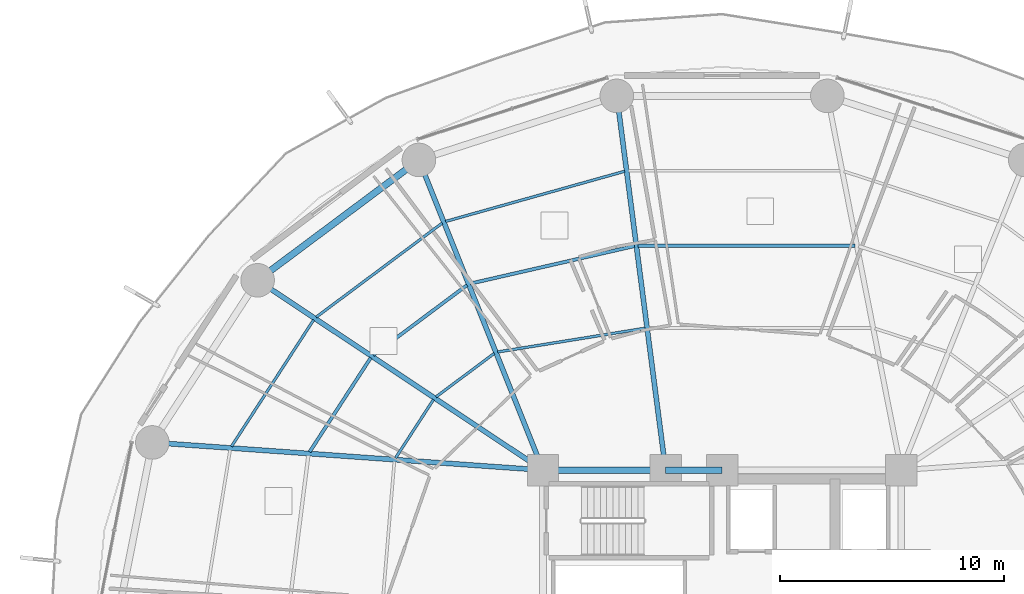
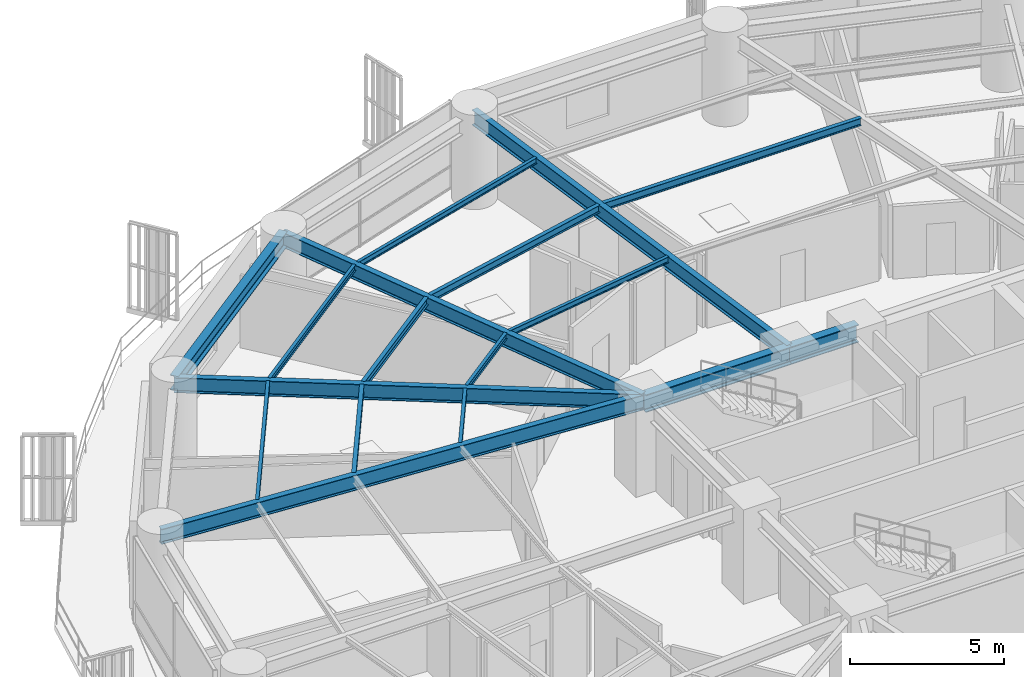
# One storey, part 16 of 32: 17 beams.
"""IFC4 building model written with IfcOpenShell, lengths in metres."""

from ifc_helpers import new_model, si_unit, direction, frame, origin, origin_2d, place, context, subcontext, project, spatial, i_section, extrude, material, material_profile, profile_set, type_object, element, save


model = new_model("IFC4")

# Units and contexts
model_context = context("Model", 3, precision=1e-05, world=origin(), true_north=direction((0.0, 1.0)))
body_context = subcontext(model_context, "Body", "Model", "MODEL_VIEW")
ifc_project = project(units=[si_unit("LENGTHUNIT", "METRE"), si_unit("AREAUNIT", "SQUARE_METRE"), si_unit("VOLUMEUNIT", "CUBIC_METRE"), si_unit("PLANEANGLEUNIT", "RADIAN"), si_unit("MASSUNIT", "GRAM", prefix="KILO")], contexts=[model_context])

# Site, building, storey
site_placement = place(None, origin())
site = spatial("IfcSite", under=ifc_project, at=site_placement, CompositionType="ELEMENT")
building_placement = place(site_placement, origin())
building = spatial("IfcBuilding", under=site, at=building_placement, Name="Kelanora Arch Commons", CompositionType="ELEMENT")
storey_placement = place(building_placement, frame((0.0, 0.0, 56.25)))
storey = spatial("IfcBuildingStorey", under=building, at=storey_placement, Name="L14", CompositionType="ELEMENT", Elevation=56.25)

# Beams
ifc_material = material(Name="Steel S355", Category="steel")
ifc_material_profile_1 = material_profile(ifc_material, i_section(OverallWidth=0.300048828125, OverallDepth=0.699951171875, WebThickness=0.01708984375, FlangeThickness=0.031982421875, FilletRadius=0.027099609375, at=origin_2d()), Name="HEB700")
ifc_profile_set_1 = profile_set([ifc_material_profile_1], Name="Steel S355")
beam_type_1 = type_object("IfcBeamType", Name="BM-CORE-HDR", PredefinedType="BEAM", material=ifc_profile_set_1)
beam_1_placement = place(storey_placement, frame((74.0, 65.0, 3.139892578125), z_axis=(-1.0, 0.0, 0.0), x_axis=(0.0, -1.0, 0.0)))
element("IfcBeam", 1, at=beam_1_placement, inside=storey, type_object=beam_type_1, Name="Core Header Beam 06 L14", PredefinedType="BEAM", context=body_context, shape_type="SweptSolid", body=[
    extrude(i_section(OverallWidth=0.300048828125, OverallDepth=0.699951171875, WebThickness=0.01708984375, FlangeThickness=0.031982421875, FilletRadius=0.027099609375, at=origin_2d()), origin(), (0.0, 0.0, 1.0), 2.52001953125),
])
beam_2_placement = place(storey_placement, frame((71.47998046875, 65.0, 3.139892578125), z_axis=(-1.0, 0.0, 0.0), x_axis=(0.0, -1.0, 0.0)))
element("IfcBeam", 2, at=beam_2_placement, inside=storey, type_object=beam_type_1, Name="Core Header Beam 07 L14", PredefinedType="BEAM", context=body_context, shape_type="SweptSolid", body=[
    extrude(i_section(OverallWidth=0.300048828125, OverallDepth=0.699951171875, WebThickness=0.01708984375, FlangeThickness=0.031982421875, FilletRadius=0.027099609375, at=origin_2d()), origin(), (0.0, 0.0, 1.0), 5.47998046875),
])
ifc_material_profile_2 = material_profile(ifc_material, i_section(OverallWidth=0.14990234375, OverallDepth=0.300048828125, WebThickness=0.007080078125, FlangeThickness=0.0107421875, FilletRadius=0.014892578125, at=origin_2d()), Name="IPE300")
ifc_profile_set_2 = profile_set([ifc_material_profile_2], Name="Steel S355")
beam_type_2 = type_object("IfcBeamType", Name="BM-JST-01", PredefinedType="JOIST", material=ifc_profile_set_2)
beam_3_placement = place(storey_placement, frame((79.936279296875, 75.028564453125, 3.340087890625), z_axis=(-1.0, 0.0, 0.0), x_axis=(0.0, -1.0, 0.0)))
element("IfcBeam", 3, at=beam_3_placement, inside=storey, type_object=beam_type_2, Name="Secondary Chord Joist BJB-08 L14", PredefinedType="JOIST", context=body_context, shape_type="SweptSolid", body=[
    extrude(i_section(OverallWidth=0.14990234375, OverallDepth=0.300048828125, WebThickness=0.007080078125, FlangeThickness=0.0107421875, FilletRadius=0.014892578125, at=origin_2d()), origin(), (0.0, 0.0, 1.0), 9.6806640625),
])
beam_4_placement = place(storey_placement, frame((70.087646484375, 75.009521484375, 3.340087890625), z_axis=(-0.974770159254, -0.223210968877, 0.0), x_axis=(0.223210968877, -0.974770159254, 0.0)))
element("IfcBeam", 4, at=beam_4_placement, inside=storey, type_object=beam_type_2, Name="Secondary Chord Joist BJB-10 L14", PredefinedType="JOIST", context=body_context, shape_type="SweptSolid", body=[
    extrude(i_section(OverallWidth=0.14990234375, OverallDepth=0.300048828125, WebThickness=0.007080078125, FlangeThickness=0.0107421875, FilletRadius=0.014892578125, at=origin_2d()), origin(), (0.0, 0.0, 1.0), 7.5185546875),
])
beam_5_placement = place(storey_placement, frame((62.60791015625, 73.261474609375, 3.340087890625), z_axis=(-0.801478251559, -0.598023922831, 0.0), x_axis=(0.598023922831, -0.801478251559, 0.0)))
element("IfcBeam", 5, at=beam_5_placement, inside=storey, type_object=beam_type_2, Name="Secondary Chord Joist BJB-12 L14", PredefinedType="JOIST", context=body_context, shape_type="SweptSolid", body=[
    extrude(i_section(OverallWidth=0.14990234375, OverallDepth=0.300048828125, WebThickness=0.007080078125, FlangeThickness=0.0107421875, FilletRadius=0.014892578125, at=origin_2d()), origin(), (0.0, 0.0, 1.0), 5.223388671875),
])
beam_6_placement = place(storey_placement, frame((58.306884765625, 70.015625, 3.340087890625), z_axis=(-0.544551588245, -0.838727350061, 0.0), x_axis=(0.838727350061, -0.544551588245, 0.0)))
element("IfcBeam", 6, at=beam_6_placement, inside=storey, type_object=beam_type_2, Name="Secondary Chord Joist BJB-14 L14", PredefinedType="JOIST", context=body_context, shape_type="SweptSolid", body=[
    extrude(i_section(OverallWidth=0.14990234375, OverallDepth=0.300048828125, WebThickness=0.007080078125, FlangeThickness=0.0107421875, FilletRadius=0.014892578125, at=origin_2d()), origin(), (0.0, 0.0, 1.0), 5.010986328125),
])
ifc_material_profile_3 = material_profile(ifc_material, i_section(OverallWidth=0.1201171875, OverallDepth=0.239990234375, WebThickness=0.006103515625, FlangeThickness=0.009765625, FilletRadius=0.014892578125, at=origin_2d()), Name="IPE240")
ifc_profile_set_3 = profile_set([ifc_material_profile_3], Name="Steel S355")
beam_type_3 = type_object("IfcBeamType", Name="BM-JST-02", PredefinedType="JOIST", material=ifc_profile_set_3)
beam_7_placement = place(storey_placement, frame((70.56689453125, 71.337890625, 3.3701171875), z_axis=(-0.987306715654, -0.158825215959, 0.0), x_axis=(0.158825215959, -0.987306715654, 0.0)))
element("IfcBeam", 7, at=beam_7_placement, inside=storey, type_object=beam_type_3, Name="Secondary Chord Joist BJA-10 L14", PredefinedType="JOIST", context=body_context, shape_type="SweptSolid", body=[
    extrude(i_section(OverallWidth=0.1201171875, OverallDepth=0.239990234375, WebThickness=0.006103515625, FlangeThickness=0.009765625, FilletRadius=0.014892578125, at=origin_2d()), origin(), (0.0, 0.0, 1.0), 6.6728515625),
])
beam_8_placement = place(storey_placement, frame((69.652099609375, 78.348388671875, 3.3701171875), z_axis=(-0.962914880978, -0.269805359456, 0.0), x_axis=(0.269805359456, -0.962914880978, 0.0)))
element("IfcBeam", 8, at=beam_8_placement, inside=storey, type_object=beam_type_3, Name="Secondary Chord Joist BJC-10 L14", PredefinedType="JOIST", context=body_context, shape_type="SweptSolid", body=[
    extrude(i_section(OverallWidth=0.1201171875, OverallDepth=0.239990234375, WebThickness=0.006103515625, FlangeThickness=0.009765625, FilletRadius=0.014892578125, at=origin_2d()), origin(), (0.0, 0.0, 1.0), 8.310302734375),
])
beam_9_placement = place(storey_placement, frame((63.82666015625, 70.213623046875, 3.3701171875), z_axis=(-0.801513822608, -0.59797624716, 0.0), x_axis=(0.59797624716, -0.801513822608, 0.0)))
element("IfcBeam", 9, at=beam_9_placement, inside=storey, type_object=beam_type_3, Name="Secondary Chord Joist BJA-12 L14", PredefinedType="JOIST", context=body_context, shape_type="SweptSolid", body=[
    extrude(i_section(OverallWidth=0.1201171875, OverallDepth=0.239990234375, WebThickness=0.006103515625, FlangeThickness=0.009765625, FilletRadius=0.014892578125, at=origin_2d()), origin(), (0.0, 0.0, 1.0), 3.245849609375),
])
beam_10_placement = place(storey_placement, frame((61.5, 76.0322265625, 3.3701171875), z_axis=(-0.80149131963, -0.598006408459, 0.0), x_axis=(0.598006408459, -0.80149131963, 0.0)))
element("IfcBeam", 10, at=beam_10_placement, inside=storey, type_object=beam_type_3, Name="Secondary Chord Joist BJC-12 L14", PredefinedType="JOIST", context=body_context, shape_type="SweptSolid", body=[
    extrude(i_section(OverallWidth=0.1201171875, OverallDepth=0.239990234375, WebThickness=0.006103515625, FlangeThickness=0.009765625, FilletRadius=0.014892578125, at=origin_2d()), origin(), (0.0, 0.0, 1.0), 7.021240234375),
])
beam_11_placement = place(storey_placement, frame((61.11083984375, 68.150390625, 3.3701171875), z_axis=(-0.544591105858, -0.838701691557, 0.0), x_axis=(0.838701691557, -0.544591105858, 0.0)))
element("IfcBeam", 11, at=beam_11_placement, inside=storey, type_object=beam_type_3, Name="Secondary Chord Joist BJA-14 L14", PredefinedType="JOIST", context=body_context, shape_type="SweptSolid", body=[
    extrude(i_section(OverallWidth=0.1201171875, OverallDepth=0.239990234375, WebThickness=0.006103515625, FlangeThickness=0.009765625, FilletRadius=0.014892578125, at=origin_2d()), origin(), (0.0, 0.0, 1.0), 3.111328125),
])
beam_12_placement = place(storey_placement, frame((55.758056640625, 71.711181640625, 3.3701171875), z_axis=(-0.544550165372, -0.838728273873, 0.0), x_axis=(0.838728273873, -0.544550165372, 0.0)))
element("IfcBeam", 12, at=beam_12_placement, inside=storey, type_object=beam_type_3, Name="Secondary Chord Joist BJC-14 L14", PredefinedType="JOIST", context=body_context, shape_type="SweptSolid", body=[
    extrude(i_section(OverallWidth=0.1201171875, OverallDepth=0.239990234375, WebThickness=0.006103515625, FlangeThickness=0.009765625, FilletRadius=0.014892578125, at=origin_2d()), origin(), (0.0, 0.0, 1.0), 6.738037109375),
])
ifc_material_profile_4 = material_profile(ifc_material, i_section(OverallWidth=0.219970703125, OverallDepth=0.60009765625, WebThickness=0.011962890625, FlangeThickness=0.01904296875, FilletRadius=0.02392578125, at=origin_2d()), Name="IPE600")
ifc_profile_set_4 = profile_set([ifc_material_profile_4], Name="Steel S355")
beam_type_4 = type_object("IfcBeamType", Name="BM-RAD-Z1", PredefinedType="BEAM", material=ifc_profile_set_4)
beam_13_placement = place(storey_placement, frame((71.47998046875, 65.0, 3.18994140625), z_axis=(-0.129471691865, 0.991583118556, 0.0), x_axis=(-0.991583118556, -0.129471691865, 0.0)))
element("IfcBeam", 13, at=beam_13_placement, inside=storey, type_object=beam_type_4, Name="Radial Floor Girder BR-10 L14", PredefinedType="BEAM", context=body_context, shape_type="SweptSolid", body=[
    extrude(i_section(OverallWidth=0.219970703125, OverallDepth=0.60009765625, WebThickness=0.011962890625, FlangeThickness=0.01904296875, FilletRadius=0.02392578125, at=origin_2d()), origin(), (0.0, 0.0, 1.0), 16.85595703125),
])
beam_14_placement = place(storey_placement, frame((66.0, 65.0, 3.18994140625), z_axis=(-0.371300398117, 0.928512797089, 0.0), x_axis=(-0.928512797089, -0.371300398117, 0.0)))
element("IfcBeam", 14, at=beam_14_placement, inside=storey, type_object=beam_type_4, Name="Radial Floor Girder BR-12 L14", PredefinedType="BEAM", context=body_context, shape_type="SweptSolid", body=[
    extrude(i_section(OverallWidth=0.219970703125, OverallDepth=0.60009765625, WebThickness=0.011962890625, FlangeThickness=0.01904296875, FilletRadius=0.02392578125, at=origin_2d()), origin(), (0.0, 0.0, 1.0), 14.920654296875),
])
beam_15_placement = place(storey_placement, frame((66.0, 65.0, 3.18994140625), z_axis=(-0.832592187754, 0.553886494591, 0.0), x_axis=(-0.553886494591, -0.832592187754, 0.0)))
element("IfcBeam", 15, at=beam_15_placement, inside=storey, type_object=beam_type_4, Name="Radial Floor Girder BR-14 L14", PredefinedType="BEAM", context=body_context, shape_type="SweptSolid", body=[
    extrude(i_section(OverallWidth=0.219970703125, OverallDepth=0.60009765625, WebThickness=0.011962890625, FlangeThickness=0.01904296875, FilletRadius=0.02392578125, at=origin_2d()), origin(), (0.0, 0.0, 1.0), 15.306884765625),
])
beam_16_placement = place(storey_placement, frame((66.0, 65.0, 3.18994140625), z_axis=(-0.997500683472, 0.070656821848, 0.0), x_axis=(-0.070656821848, -0.997500683472, 0.0)))
element("IfcBeam", 16, at=beam_16_placement, inside=storey, type_object=beam_type_4, Name="Radial Floor Girder BR-16 L14", PredefinedType="BEAM", context=body_context, shape_type="SweptSolid", body=[
    extrude(i_section(OverallWidth=0.219970703125, OverallDepth=0.60009765625, WebThickness=0.011962890625, FlangeThickness=0.01904296875, FilletRadius=0.02392578125, at=origin_2d()), origin(), (0.0, 0.0, 1.0), 17.49072265625),
])
ifc_material_profile_5 = material_profile(ifc_material, i_section(OverallWidth=0.300048828125, OverallDepth=0.60009765625, WebThickness=0.015380859375, FlangeThickness=0.030029296875, FilletRadius=0.027099609375, at=origin_2d()), Name="HEB600")
ifc_profile_set_5 = profile_set([ifc_material_profile_5], Name="Steel S355")
beam_type_5 = type_object("IfcBeamType", Name="BM-SPN-Z1", PredefinedType="SPANDREL", material=ifc_profile_set_5)
beam_17_placement = place(storey_placement, frame((60.4599609375, 78.85400390625, 3.18994140625), z_axis=(-0.801467504127, -0.598038326388, 0.0), x_axis=(0.598038326388, -0.801467504127, 0.0)))
element("IfcBeam", 17, at=beam_17_placement, inside=storey, type_object=beam_type_5, Name="Perimeter Spandrel Beam BS-12 L14", PredefinedType="SPANDREL", context=body_context, shape_type="SweptSolid", body=[
    extrude(i_section(OverallWidth=0.300048828125, OverallDepth=0.60009765625, WebThickness=0.015380859375, FlangeThickness=0.030029296875, FilletRadius=0.027099609375, at=origin_2d()), origin(), (0.0, 0.0, 1.0), 8.989013671875),
])

save(model, "model.ifc")
